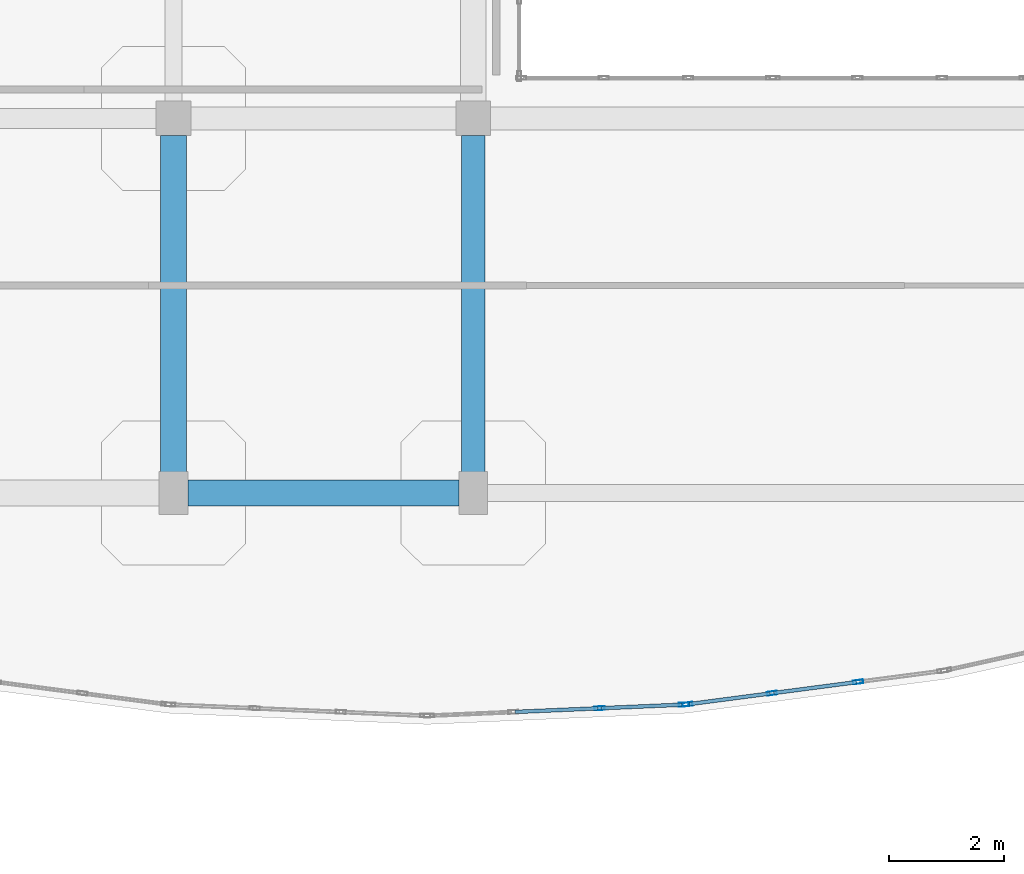
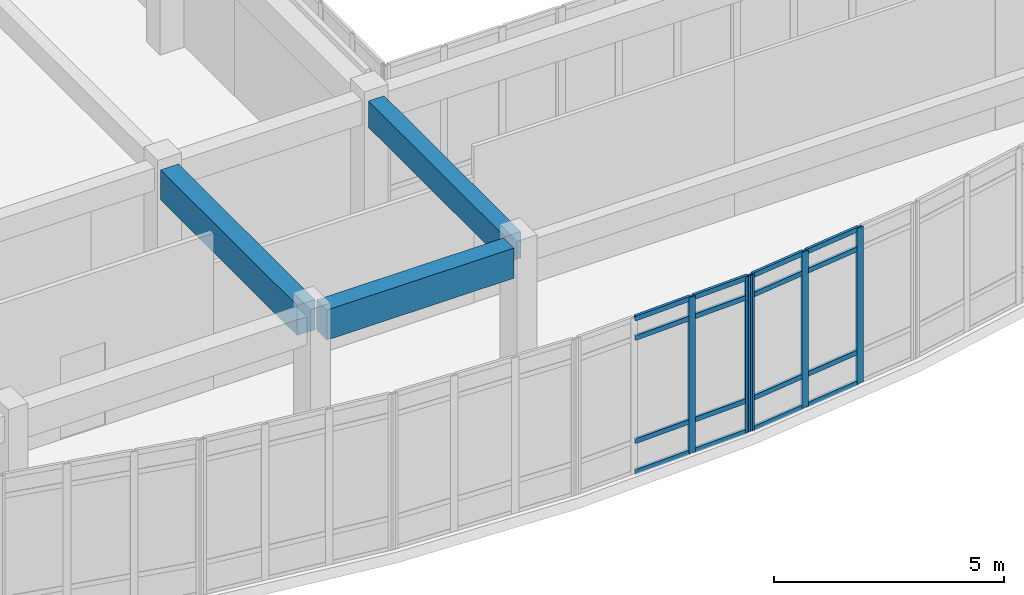
# One storey, part 79 of 142: 21 members, 3 beams, 2 elements without a shape of their own.
"""IFC4 building model written with IfcOpenShell, lengths in metres."""

from ifc_helpers import new_model, si_unit, direction, frame, origin, origin_2d, place, context, subcontext, project, spatial, rectangle, hollow_rectangle, extrude, material, layer, layer_set, material_profile, profile_set, type_object, element, aggregate, save


model = new_model("IFC4")

# Units and contexts
model_context = context("Model", 3, precision=1e-05, world=origin(), true_north=direction((0.0, 1.0)))
body_context = subcontext(model_context, "Body", "Model", "MODEL_VIEW")
ifc_project = project(units=[si_unit("LENGTHUNIT", "METRE"), si_unit("AREAUNIT", "SQUARE_METRE"), si_unit("VOLUMEUNIT", "CUBIC_METRE"), si_unit("PLANEANGLEUNIT", "RADIAN"), si_unit("MASSUNIT", "GRAM", prefix="KILO")], contexts=[model_context])

# Site, building, storey
site_placement = place(None, origin())
site = spatial("IfcSite", under=ifc_project, at=site_placement, CompositionType="ELEMENT")
building_placement = place(site_placement, origin())
building = spatial("IfcBuilding", under=site, at=building_placement, Name="Valcora Specialist Clinic", CompositionType="ELEMENT")
storey_placement = place(building_placement, frame((0.0, 0.0, 5.10009765625)))
storey = spatial("IfcBuildingStorey", under=building, at=storey_placement, Name="L01", CompositionType="ELEMENT", Elevation=5.10009765625)

# Beams
ifc_material_1 = material(Name="Concrete C40/50", Category="concrete")
ifc_material_profile_1 = material_profile(ifc_material_1, rectangle(XDim=0.39990234375, YDim=0.699951171875, at=origin_2d()), Name="RC-BM-400X700")
ifc_profile_set_1 = profile_set([ifc_material_profile_1], Name="Concrete C40/50")
beam_type_1 = type_object("IfcBeamType", Name="TY-BM-RC400X700", PredefinedType="BEAM", material=ifc_profile_set_1)
beam_1_placement = place(storey_placement, frame((111.199951171875, 75.050048828125, 3.794921875), z_axis=(0.0, 1.0, 0.0), x_axis=(-1.0, 0.0, 0.0)))
element("IfcBeam", 1, at=beam_1_placement, inside=storey, type_object=beam_type_1, Name="Beam BM-L01-0680", PredefinedType="BEAM", context=body_context, shape_type="SweptSolid", body=[
    extrude(rectangle(XDim=0.39990234375, YDim=0.699951171875, at=origin_2d()), origin(), (0.0, 0.0, 1.0), 5.949951171875),
])
ifc_material_profile_2 = material_profile(ifc_material_1, rectangle(XDim=0.449951171875, YDim=0.800048828125, at=origin_2d()), Name="RC-BM-450X800")
ifc_profile_set_2 = profile_set([ifc_material_profile_2], Name="Concrete C40/50")
beam_type_2 = type_object("IfcBeamType", Name="TY-BM-RC450X800", PredefinedType="BEAM", material=ifc_profile_set_2)
beam_2_placement = place(storey_placement, frame((106.25, 74.800048828125, 3.744873046875), z_axis=(1.0, 0.0, 0.0), x_axis=(0.0, 1.0, 0.0)))
element("IfcBeam", 2, at=beam_2_placement, inside=storey, type_object=beam_type_2, Name="Beam BM-L01-0618", PredefinedType="BEAM", context=body_context, shape_type="SweptSolid", body=[
    extrude(rectangle(XDim=0.449951171875, YDim=0.800048828125, at=origin_2d()), origin(), (0.0, 0.0, 1.0), 4.699951171875),
])
beam_3_placement = place(storey_placement, frame((106.0, 75.050048828125, 3.744873046875), z_axis=(0.0, 1.0, 0.0), x_axis=(-1.0, 0.0, 0.0)))
element("IfcBeam", 3, at=beam_3_placement, inside=storey, type_object=beam_type_2, Name="Beam BM-L01-0676", PredefinedType="BEAM", context=body_context, shape_type="SweptSolid", body=[
    extrude(rectangle(XDim=0.449951171875, YDim=0.800048828125, at=origin_2d()), origin(), (0.0, 0.0, 1.0), 5.949951171875),
])

# Curtain wall, members
ifc_material_2 = material(Name="Anodized Bronze Aluminium 6063-T6", Category="aluminium")
ifc_layer = layer(ifc_material_2, 0.175048828125)
ifc_layer_set = layer_set([ifc_layer], Name="Anodized Bronze Aluminium 6063-T6")
curtain_wall_type = type_object("IfcCurtainWallType", Name="TY-CW-ARC44", PredefinedType="NOTDEFINED", material=ifc_layer_set)
curtain_wall_1_placement = place(storey_placement, origin())
curtain_wall_1 = element("IfcCurtainWall", 4, at=curtain_wall_1_placement, inside=storey, type_object=curtain_wall_type, Name="Curtain wall CW-L01-055", PredefinedType="NOTDEFINED")
ifc_material_profile_3 = material_profile(ifc_material_2, hollow_rectangle(XDim=0.06494140625, YDim=0.175048828125, WallThickness=0.00390625, at=origin_2d()), Name="AL-MUL-65X175")
ifc_profile_set_3 = profile_set([ifc_material_profile_3], Name="Anodized Bronze Aluminium 6063-T6")
member_type_1 = type_object("IfcMemberType", Name="TY-CWM-65X175", PredefinedType="MULLION", material=ifc_profile_set_3)
member_1_placement = place(storey_placement, frame((117.87841796875, 71.521728515625, 0.0), z_axis=(0.0, 0.0, 1.0), x_axis=(0.129999492259, -0.991514060421, 0.0)))
member_1 = element("IfcMember", 5, at=member_1_placement, type_object=member_type_1, Name="CW-ARC-44 mullion 2", PredefinedType="MULLION", context=body_context, shape_type="SweptSolid", body=[
    extrude(hollow_rectangle(XDim=0.06494140625, YDim=0.175048828125, WallThickness=0.00390625, at=origin_2d()), origin(), (0.0, 0.0, 1.0), 4.14501953125),
])
member_2_placement = place(storey_placement, frame((116.382568359375, 71.32568359375, 0.0), z_axis=(0.0, 0.0, 1.0), x_axis=(0.129999492259, -0.991514060421, 0.0)))
member_2 = element("IfcMember", 6, at=member_2_placement, type_object=member_type_1, Name="CW-ARC-44 mullion 3", PredefinedType="MULLION", context=body_context, shape_type="SweptSolid", body=[
    extrude(hollow_rectangle(XDim=0.06494140625, YDim=0.175048828125, WallThickness=0.00390625, at=origin_2d()), origin(), (0.0, 0.0, 1.0), 4.14501953125),
])
member_3_placement = place(storey_placement, frame((114.919189453125, 71.1337890625, 0.0), z_axis=(0.0, 0.0, 1.0), x_axis=(0.129999492259, -0.991514060421, 0.0)))
member_3 = element("IfcMember", 7, at=member_3_placement, type_object=member_type_1, Name="CW-ARC-44 mullion 4", PredefinedType="MULLION", context=body_context, shape_type="SweptSolid", body=[
    extrude(hollow_rectangle(XDim=0.06494140625, YDim=0.175048828125, WallThickness=0.00390625, at=origin_2d()), origin(), (0.0, 0.0, 1.0), 4.14501953125),
])

curtain_wall_2_placement = place(storey_placement, origin())
curtain_wall_2 = element("IfcCurtainWall", 8, at=curtain_wall_2_placement, inside=storey, type_object=curtain_wall_type, Name="Curtain wall CW-L01-056", PredefinedType="NOTDEFINED")
member_4_placement = place(storey_placement, frame((114.8544921875, 71.128173828125, 0.0), z_axis=(0.0, 0.0, 1.0), x_axis=(0.043306780525, -0.999061821291, 0.0)))
member_4 = element("IfcMember", 9, at=member_4_placement, type_object=member_type_1, Name="CW-ARC-44 mullion 1", PredefinedType="MULLION", context=body_context, shape_type="SweptSolid", body=[
    extrude(hollow_rectangle(XDim=0.06494140625, YDim=0.175048828125, WallThickness=0.00390625, at=origin_2d()), origin(), (0.0, 0.0, 1.0), 4.14501953125),
])
member_5_placement = place(storey_placement, frame((113.391357421875, 71.064697265625, 0.0), z_axis=(0.0, 0.0, 1.0), x_axis=(0.043306780525, -0.999061821291, 0.0)))
member_5 = element("IfcMember", 10, at=member_5_placement, type_object=member_type_1, Name="CW-ARC-44 mullion 2", PredefinedType="MULLION", context=body_context, shape_type="SweptSolid", body=[
    extrude(hollow_rectangle(XDim=0.06494140625, YDim=0.175048828125, WallThickness=0.00390625, at=origin_2d()), origin(), (0.0, 0.0, 1.0), 4.14501953125),
])

# Member
ifc_material_profile_4 = material_profile(ifc_material_2, hollow_rectangle(XDim=0.06494140625, YDim=0.1298828125, WallThickness=0.00390625, at=origin_2d()), Name="AL-TRN-65X130")
ifc_profile_set_4 = profile_set([ifc_material_profile_4], Name="Anodized Bronze Aluminium 6063-T6")
member_type_2 = type_object("IfcMemberType", Name="TY-CWT-65X130", PredefinedType="USERDEFINED", material=ifc_profile_set_4)
member_6_placement = place(storey_placement, frame((117.84619140625, 71.517578125, 0.032470703125), z_axis=(-0.991507743319, -0.130047664099, 0.0), x_axis=(0.130047664099, -0.991507743319, 0.0)))
member_6 = element("IfcMember", 11, at=member_6_placement, type_object=member_type_2, Name="CW-ARC-44 transom 2.1", ObjectType="TRANSOM", PredefinedType="USERDEFINED", context=body_context, shape_type="SweptSolid", body=[
    extrude(hollow_rectangle(XDim=0.06494140625, YDim=0.1298828125, WallThickness=0.00390625, at=origin_2d()), origin(), (0.0, 0.0, 1.0), 1.443603515625),
])

member_7_placement = place(storey_placement, frame((117.84619140625, 71.517578125, 0.849853515625), z_axis=(-0.991507743319, -0.130047664099, 0.0), x_axis=(0.130047664099, -0.991507743319, 0.0)))
member_7 = element("IfcMember", 12, at=member_7_placement, type_object=member_type_2, Name="CW-ARC-44 transom 2.2", ObjectType="TRANSOM", PredefinedType="USERDEFINED", context=body_context, shape_type="SweptSolid", body=[
    extrude(hollow_rectangle(XDim=0.06494140625, YDim=0.1298828125, WallThickness=0.00390625, at=origin_2d()), origin(), (0.0, 0.0, 1.0), 1.443603515625),
])

member_8_placement = place(storey_placement, frame((117.84619140625, 71.517578125, 3.594970703125), z_axis=(-0.991507743319, -0.130047664099, 0.0), x_axis=(0.130047664099, -0.991507743319, 0.0)))
member_8 = element("IfcMember", 13, at=member_8_placement, type_object=member_type_2, Name="CW-ARC-44 transom 2.3", ObjectType="TRANSOM", PredefinedType="USERDEFINED", context=body_context, shape_type="SweptSolid", body=[
    extrude(hollow_rectangle(XDim=0.06494140625, YDim=0.1298828125, WallThickness=0.00390625, at=origin_2d()), origin(), (0.0, 0.0, 1.0), 1.443603515625),
])

member_9_placement = place(storey_placement, frame((117.84619140625, 71.517578125, 4.1123046875), z_axis=(-0.991507743319, -0.130047664099, 0.0), x_axis=(0.130047664099, -0.991507743319, 0.0)))
member_9 = element("IfcMember", 14, at=member_9_placement, type_object=member_type_2, Name="CW-ARC-44 transom 2.4", ObjectType="TRANSOM", PredefinedType="USERDEFINED", context=body_context, shape_type="SweptSolid", body=[
    extrude(hollow_rectangle(XDim=0.06494140625, YDim=0.1298828125, WallThickness=0.00390625, at=origin_2d()), origin(), (0.0, 0.0, 1.0), 1.443603515625),
])

member_10_placement = place(storey_placement, frame((116.350341796875, 71.321533203125, 0.032470703125), z_axis=(-0.991497823208, -0.130123274529, 0.0), x_axis=(0.130123274529, -0.991497823208, 0.0)))
member_10 = element("IfcMember", 15, at=member_10_placement, type_object=member_type_2, Name="CW-ARC-44 transom 3.1", ObjectType="TRANSOM", PredefinedType="USERDEFINED", context=body_context, shape_type="SweptSolid", body=[
    extrude(hollow_rectangle(XDim=0.06494140625, YDim=0.1298828125, WallThickness=0.00390625, at=origin_2d()), origin(), (0.0, 0.0, 1.0), 1.410888671875),
])

member_11_placement = place(storey_placement, frame((116.350341796875, 71.321533203125, 0.849853515625), z_axis=(-0.991497823208, -0.130123274529, 0.0), x_axis=(0.130123274529, -0.991497823208, 0.0)))
member_11 = element("IfcMember", 16, at=member_11_placement, type_object=member_type_2, Name="CW-ARC-44 transom 3.2", ObjectType="TRANSOM", PredefinedType="USERDEFINED", context=body_context, shape_type="SweptSolid", body=[
    extrude(hollow_rectangle(XDim=0.06494140625, YDim=0.1298828125, WallThickness=0.00390625, at=origin_2d()), origin(), (0.0, 0.0, 1.0), 1.410888671875),
])

member_12_placement = place(storey_placement, frame((116.350341796875, 71.321533203125, 3.594970703125), z_axis=(-0.991497823208, -0.130123274529, 0.0), x_axis=(0.130123274529, -0.991497823208, 0.0)))
member_12 = element("IfcMember", 17, at=member_12_placement, type_object=member_type_2, Name="CW-ARC-44 transom 3.3", ObjectType="TRANSOM", PredefinedType="USERDEFINED", context=body_context, shape_type="SweptSolid", body=[
    extrude(hollow_rectangle(XDim=0.06494140625, YDim=0.1298828125, WallThickness=0.00390625, at=origin_2d()), origin(), (0.0, 0.0, 1.0), 1.410888671875),
])

member_13_placement = place(storey_placement, frame((116.350341796875, 71.321533203125, 4.1123046875), z_axis=(-0.991497823208, -0.130123274529, 0.0), x_axis=(0.130123274529, -0.991497823208, 0.0)))
member_13 = element("IfcMember", 18, at=member_13_placement, type_object=member_type_2, Name="CW-ARC-44 transom 3.4", ObjectType="TRANSOM", PredefinedType="USERDEFINED", context=body_context, shape_type="SweptSolid", body=[
    extrude(hollow_rectangle(XDim=0.06494140625, YDim=0.1298828125, WallThickness=0.00390625, at=origin_2d()), origin(), (0.0, 0.0, 1.0), 1.410888671875),
])

aggregate(curtain_wall_1, [member_1, member_2, member_3, member_6, member_7, member_8, member_9, member_10, member_11, member_12, member_13])

member_14_placement = place(storey_placement, frame((114.822021484375, 71.126708984375, 0.032470703125), z_axis=(-0.999063713567, -0.043263104761, 0.0), x_axis=(0.043263104761, -0.999063713567, 0.0)))
member_14 = element("IfcMember", 19, at=member_14_placement, type_object=member_type_2, Name="CW-ARC-44 transom 1.1", ObjectType="TRANSOM", PredefinedType="USERDEFINED", context=body_context, shape_type="SweptSolid", body=[
    extrude(hollow_rectangle(XDim=0.06494140625, YDim=0.1298828125, WallThickness=0.00390625, at=origin_2d()), origin(), (0.0, 0.0, 1.0), 1.3994140625),
])

member_15_placement = place(storey_placement, frame((114.822021484375, 71.126708984375, 0.849853515625), z_axis=(-0.999063713567, -0.043263104761, 0.0), x_axis=(0.043263104761, -0.999063713567, 0.0)))
member_15 = element("IfcMember", 20, at=member_15_placement, type_object=member_type_2, Name="CW-ARC-44 transom 1.2", ObjectType="TRANSOM", PredefinedType="USERDEFINED", context=body_context, shape_type="SweptSolid", body=[
    extrude(hollow_rectangle(XDim=0.06494140625, YDim=0.1298828125, WallThickness=0.00390625, at=origin_2d()), origin(), (0.0, 0.0, 1.0), 1.3994140625),
])

member_16_placement = place(storey_placement, frame((114.822021484375, 71.126708984375, 3.594970703125), z_axis=(-0.999063713567, -0.043263104761, 0.0), x_axis=(0.043263104761, -0.999063713567, 0.0)))
member_16 = element("IfcMember", 21, at=member_16_placement, type_object=member_type_2, Name="CW-ARC-44 transom 1.3", ObjectType="TRANSOM", PredefinedType="USERDEFINED", context=body_context, shape_type="SweptSolid", body=[
    extrude(hollow_rectangle(XDim=0.06494140625, YDim=0.1298828125, WallThickness=0.00390625, at=origin_2d()), origin(), (0.0, 0.0, 1.0), 1.3994140625),
])

member_17_placement = place(storey_placement, frame((114.822021484375, 71.126708984375, 4.1123046875), z_axis=(-0.999063713567, -0.043263104761, 0.0), x_axis=(0.043263104761, -0.999063713567, 0.0)))
member_17 = element("IfcMember", 22, at=member_17_placement, type_object=member_type_2, Name="CW-ARC-44 transom 1.4", ObjectType="TRANSOM", PredefinedType="USERDEFINED", context=body_context, shape_type="SweptSolid", body=[
    extrude(hollow_rectangle(XDim=0.06494140625, YDim=0.1298828125, WallThickness=0.00390625, at=origin_2d()), origin(), (0.0, 0.0, 1.0), 1.3994140625),
])

member_18_placement = place(storey_placement, frame((113.35888671875, 71.0634765625, 0.032470703125), z_axis=(-0.999054549301, -0.043474216736, 0.0), x_axis=(0.043474216736, -0.999054549301, 0.0)))
member_18 = element("IfcMember", 23, at=member_18_placement, type_object=member_type_2, Name="CW-ARC-44 transom 2.1", ObjectType="TRANSOM", PredefinedType="USERDEFINED", context=body_context, shape_type="SweptSolid", body=[
    extrude(hollow_rectangle(XDim=0.06494140625, YDim=0.1298828125, WallThickness=0.00390625, at=origin_2d()), origin(), (0.0, 0.0, 1.0), 1.43212890625),
])

member_19_placement = place(storey_placement, frame((113.35888671875, 71.0634765625, 0.849853515625), z_axis=(-0.999054549301, -0.043474216736, 0.0), x_axis=(0.043474216736, -0.999054549301, 0.0)))
member_19 = element("IfcMember", 24, at=member_19_placement, type_object=member_type_2, Name="CW-ARC-44 transom 2.2", ObjectType="TRANSOM", PredefinedType="USERDEFINED", context=body_context, shape_type="SweptSolid", body=[
    extrude(hollow_rectangle(XDim=0.06494140625, YDim=0.1298828125, WallThickness=0.00390625, at=origin_2d()), origin(), (0.0, 0.0, 1.0), 1.43212890625),
])

member_20_placement = place(storey_placement, frame((113.35888671875, 71.0634765625, 3.594970703125), z_axis=(-0.999054549301, -0.043474216736, 0.0), x_axis=(0.043474216736, -0.999054549301, 0.0)))
member_20 = element("IfcMember", 25, at=member_20_placement, type_object=member_type_2, Name="CW-ARC-44 transom 2.3", ObjectType="TRANSOM", PredefinedType="USERDEFINED", context=body_context, shape_type="SweptSolid", body=[
    extrude(hollow_rectangle(XDim=0.06494140625, YDim=0.1298828125, WallThickness=0.00390625, at=origin_2d()), origin(), (0.0, 0.0, 1.0), 1.43212890625),
])

member_21_placement = place(storey_placement, frame((113.35888671875, 71.0634765625, 4.1123046875), z_axis=(-0.999054549301, -0.043474216736, 0.0), x_axis=(0.043474216736, -0.999054549301, 0.0)))
member_21 = element("IfcMember", 26, at=member_21_placement, type_object=member_type_2, Name="CW-ARC-44 transom 2.4", ObjectType="TRANSOM", PredefinedType="USERDEFINED", context=body_context, shape_type="SweptSolid", body=[
    extrude(hollow_rectangle(XDim=0.06494140625, YDim=0.1298828125, WallThickness=0.00390625, at=origin_2d()), origin(), (0.0, 0.0, 1.0), 1.43212890625),
])

aggregate(curtain_wall_2, [member_4, member_5, member_14, member_15, member_16, member_17, member_18, member_19, member_20, member_21])

save(model, "model.ifc")
